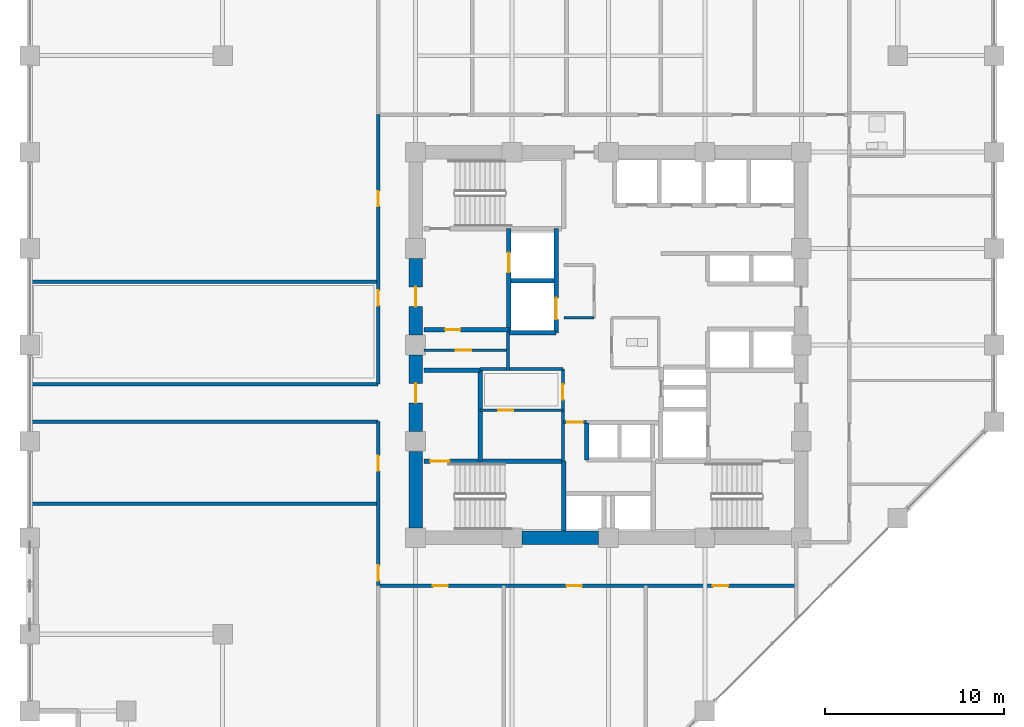
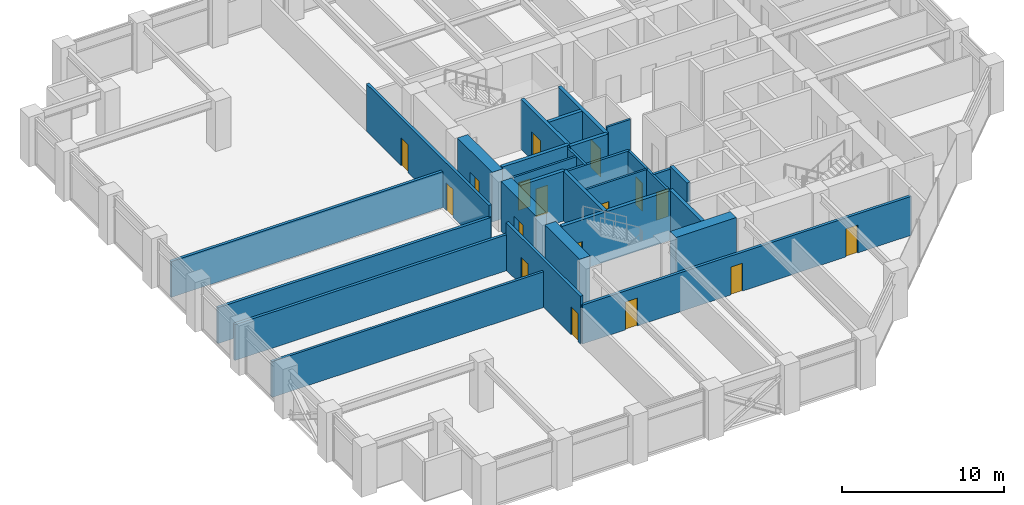
# One storey, part 19 of 25: 28 walls, 17 doors, 17 openings.
"""IFC4 building model written with IfcOpenShell, lengths in metres."""

from ifc_helpers import new_model, si_unit, direction, frame, frame_2d, origin, place, context, subcontext, project, spatial, rectangle, extrude, material, layer, layer_set, type_object, element, fill, save


model = new_model("IFC4")

# Units and contexts
model_context = context("Model", 3, precision=1e-05, world=origin(), true_north=direction((0.0, 1.0)))
body_context = subcontext(model_context, "Body", "Model", "MODEL_VIEW")
ifc_project = project(units=[si_unit("LENGTHUNIT", "METRE"), si_unit("AREAUNIT", "SQUARE_METRE"), si_unit("VOLUMEUNIT", "CUBIC_METRE"), si_unit("PLANEANGLEUNIT", "RADIAN"), si_unit("MASSUNIT", "GRAM", prefix="KILO")], contexts=[model_context])

# Site, building, storey
site_placement = place(None, origin())
site = spatial("IfcSite", under=ifc_project, at=site_placement, CompositionType="ELEMENT")
building_placement = place(site_placement, origin())
building = spatial("IfcBuilding", under=site, at=building_placement, Name="Surkhivell Harbour Commons", CompositionType="ELEMENT")
storey_placement = place(building_placement, frame((0.0, 0.0, 117.0)))
storey = spatial("IfcBuildingStorey", under=building, at=storey_placement, Name="L30", CompositionType="ELEMENT", Elevation=117.0)

# Walls
ifc_material_1 = material(Name="Concrete C60/75", Category="concrete")
ifc_layer_1 = layer(ifc_material_1, 0.75)
ifc_layer_set_1 = layer_set([ifc_layer_1], Name="Concrete C60/75")
wall_type_1 = type_object("IfcWallType", Name="WAL-CORE-750", PredefinedType="SHEAR", material=ifc_layer_set_1)
for number, where, z_axis, x_axis, name in (
    (1, (-10.800048828125, -10.239990234375, 0.0), (0.0, 0.0, 1.0), (0.0, 1.0, 0.0), "L30 Core Shear Wall West 1"),
    (2, (-4.840087890625, -10.800048828125, 0.0), (0.0, 0.0, 1.0), (1.0, 0.0, 0.0), "L30 Core Shear Wall South 2"),
):
    element("IfcWall", number, at=place(storey_placement, frame(where, z_axis=z_axis, x_axis=x_axis)), inside=storey, type_object=wall_type_1, Name=name, PredefinedType="SHEAR", context=body_context, shape_type="SweptSolid", body=[
        extrude(rectangle(XDim=4.280029296875, YDim=0.75, at=frame_2d((2.14013671875, 0.0))), origin(), (0.0, 0.0, 1.0), 3.75),
    ])

# Wall, opening, door
wall_1_placement = place(storey_placement, frame((-10.800048828125, -4.840087890625, 0.0), z_axis=(0.0, 0.0, 1.0), x_axis=(0.0, 1.0, 0.0)))
wall_1 = element("IfcWall", 3, at=wall_1_placement, inside=storey, type_object=wall_type_1, Name="L30 Core Shear Wall West 2", PredefinedType="SHEAR", context=body_context, shape_type="SweptSolid", body=[
    extrude(rectangle(XDim=4.280029296875, YDim=0.75, at=frame_2d((2.14013671875, 0.0))), origin(), (0.0, 0.0, 1.0), 3.75),
])
opening_1_placement = place(wall_1_placement, frame((1.590087890625, 0.0, 0.0)))
opening_1 = element("IfcOpeningElement", 4, at=opening_1_placement, cuts=wall_1, Name="Opening ID-2", PredefinedType="OPENING", context=body_context, shape_type="SweptSolid", body=[
    extrude(rectangle(XDim=1.10009765625, YDim=2.10009765625, at=frame_2d((0.550048828125, 1.050048828125))), frame((0.0, 0.385009765625, 0.0), z_axis=(0.0, -1.0, 0.0), x_axis=(1.0, 0.0, 0.0)), (0.0, 0.0, 1.0), 0.77001953125),
])
ifc_material_2 = material(Name="Hardwood-veneered fire-rated door leaf", Category="wood")
door_type_1 = type_object("IfcDoorType", Name="DOR-FD60-1100", OperationType="NOTDEFINED", PredefinedType="DOOR", material=ifc_material_2)
door_1_placement = place(opening_1_placement, origin())
door_1 = element("IfcDoor", 5, at=door_1_placement, inside=storey, type_object=door_type_1, Name="L30 Stair 3 Lobby Corridor Door", OperationType="SINGLE_SWING_LEFT", OverallHeight=2.10009765625, OverallWidth=1.10009765625, PredefinedType="DOOR", context=body_context, shape_type="SweptSolid", body=[
    extrude(rectangle(XDim=1.10009765625, YDim=2.10009765625, at=frame_2d((0.550048828125, 1.050048828125))), frame((0.0, 0.02490234375, 0.0), z_axis=(0.0, -1.0, 0.0), x_axis=(1.0, 0.0, 0.0)), (0.0, 0.0, 1.0), 0.050048828125),
])
fill(opening_1, door_1)

wall_2_placement = place(storey_placement, frame((-10.800048828125, 0.56005859375, 0.0), z_axis=(0.0, 0.0, 1.0), x_axis=(0.0, 1.0, 0.0)))
wall_2 = element("IfcWall", 6, at=wall_2_placement, inside=storey, type_object=wall_type_1, Name="L30 Core Shear Wall West 3", PredefinedType="SHEAR", context=body_context, shape_type="SweptSolid", body=[
    extrude(rectangle(XDim=4.280029296875, YDim=0.75, at=frame_2d((2.14013671875, 0.0))), origin(), (0.0, 0.0, 1.0), 3.75),
])
opening_2_placement = place(wall_2_placement, frame((1.590087890625, 0.0, 0.0)))
opening_2 = element("IfcOpeningElement", 7, at=opening_2_placement, cuts=wall_2, Name="Opening ID-1", PredefinedType="OPENING", context=body_context, shape_type="SweptSolid", body=[
    extrude(rectangle(XDim=1.10009765625, YDim=2.10009765625, at=frame_2d((0.550048828125, 1.050048828125))), frame((0.0, 0.385009765625, 0.0), z_axis=(0.0, -1.0, 0.0), x_axis=(1.0, 0.0, 0.0)), (0.0, 0.0, 1.0), 0.77001953125),
])
door_type_2 = type_object("IfcDoorType", Name="DOR-FD120-1100", OperationType="NOTDEFINED", PredefinedType="DOOR", material=ifc_material_2)
door_2_placement = place(opening_2_placement, origin())
door_2 = element("IfcDoor", 8, at=door_2_placement, inside=storey, type_object=door_type_2, Name="L30 Firefighting Lobby 1 Corridor Door", OperationType="SINGLE_SWING_LEFT", OverallHeight=2.10009765625, OverallWidth=1.10009765625, PredefinedType="DOOR", context=body_context, shape_type="SweptSolid", body=[
    extrude(rectangle(XDim=1.10009765625, YDim=2.10009765625, at=frame_2d((0.550048828125, 1.050048828125))), frame((0.0, 0.02490234375, 0.0), z_axis=(0.0, -1.0, 0.0), x_axis=(1.0, 0.0, 0.0)), (0.0, 0.0, 1.0), 0.050048828125),
])
fill(opening_2, door_2)

ifc_material_3 = material(Name="Twin-stud acoustic fireboard partition", Category="other")
ifc_layer_2 = layer(ifc_material_3, 0.14990234375)
ifc_layer_set_2 = layer_set([ifc_layer_2], Name="Twin-stud acoustic fireboard partition")
wall_type_2 = type_object("IfcWallType", Name="WAL-INT-150", PredefinedType="PARTITIONING", material=ifc_layer_set_2)
wall_3_placement = place(storey_placement, frame((-7.179931640625, -3.64990234375, 0.0), z_axis=(0.0, 0.0, 1.0), x_axis=(1.0, 0.0, 0.0)))
wall_3 = element("IfcWall", 9, at=wall_3_placement, inside=storey, type_object=wall_type_2, Name="L30 Core Cut C1 Partition", PredefinedType="PARTITIONING", context=body_context, shape_type="SweptSolid", body=[
    extrude(rectangle(XDim=4.6298828125, YDim=0.14990234375, at=frame_2d((2.31494140625, 0.0))), origin(), (0.0, 0.0, 1.0), 3.570068359375),
])
opening_3_placement = place(wall_3_placement, frame((1.0, 0.0, 0.0)))
opening_3 = element("IfcOpeningElement", 10, at=opening_3_placement, cuts=wall_3, Name="Opening ID-6", PredefinedType="OPENING", context=body_context, shape_type="SweptSolid", body=[
    extrude(rectangle(XDim=0.85009765625, YDim=2.10009765625, at=frame_2d((0.425048828125, 1.050048828125))), frame((0.0, 0.0849609375, 0.0), z_axis=(0.0, -1.0, 0.0), x_axis=(1.0, 0.0, 0.0)), (0.0, 0.0, 1.0), 0.169921875),
])
door_type_3 = type_object("IfcDoorType", Name="DOR-FD30-850", OperationType="NOTDEFINED", PredefinedType="DOOR", material=ifc_material_2)
door_3_placement = place(opening_3_placement, origin())
door_3 = element("IfcDoor", 11, at=door_3_placement, inside=storey, type_object=door_type_3, Name="L30 Cleaner Room Door", OperationType="SINGLE_SWING_LEFT", OverallHeight=2.10009765625, OverallWidth=0.85009765625, PredefinedType="DOOR", context=body_context, shape_type="SweptSolid", body=[
    extrude(rectangle(XDim=0.85009765625, YDim=2.10009765625, at=frame_2d((0.425048828125, 1.050048828125))), frame((0.0, 0.02490234375, 0.0), z_axis=(0.0, -1.0, 0.0), x_axis=(1.0, 0.0, 0.0)), (0.0, 0.0, 1.0), 0.050048828125),
])
fill(opening_3, door_3)

wall_4_placement = place(storey_placement, frame((-10.340087890625, -0.2900390625, 0.0), z_axis=(0.0, 0.0, 1.0), x_axis=(1.0, 0.0, 0.0)))
wall_4 = element("IfcWall", 12, at=wall_4_placement, inside=storey, type_object=wall_type_2, Name="L30 West Core Horizontal Cut", PredefinedType="PARTITIONING", context=body_context, shape_type="SweptSolid", body=[
    extrude(rectangle(XDim=4.719970703125, YDim=0.14990234375, at=frame_2d((2.35986328125, 0.0))), origin(), (0.0, 0.0, 1.0), 3.570068359375),
])
opening_4_placement = place(wall_4_placement, frame((1.800048828125, 0.0, 0.0)))
opening_4 = element("IfcOpeningElement", 13, at=opening_4_placement, cuts=wall_4, Name="Opening ID-6", PredefinedType="OPENING", context=body_context, shape_type="SweptSolid", body=[
    extrude(rectangle(XDim=0.85009765625, YDim=2.10009765625, at=frame_2d((0.425048828125, 1.050048828125))), frame((0.0, 0.0849609375, 0.0), z_axis=(0.0, -1.0, 0.0), x_axis=(1.0, 0.0, 0.0)), (0.0, 0.0, 1.0), 0.169921875),
])
door_4_placement = place(opening_4_placement, origin())
door_4 = element("IfcDoor", 14, at=door_4_placement, inside=storey, type_object=door_type_3, Name="L30 West Music Pod Door", OperationType="SINGLE_SWING_RIGHT", OverallHeight=2.10009765625, OverallWidth=0.85009765625, PredefinedType="DOOR", context=body_context, shape_type="SweptSolid", body=[
    extrude(rectangle(XDim=0.85009765625, YDim=2.10009765625, at=frame_2d((0.425048828125, 1.050048828125))), frame((0.0, 0.02490234375, 0.0), z_axis=(0.0, -1.0, 0.0), x_axis=(1.0, 0.0, 0.0)), (0.0, 0.0, 1.0), 0.050048828125),
])
fill(opening_4, door_4)

# Wall
wall_5_placement = place(storey_placement, frame((-2.47998046875, 1.52001953125, 0.0), z_axis=(0.0, 0.0, 1.0), x_axis=(1.0, 0.0, 0.0)))
element("IfcWall", 15, at=wall_5_placement, inside=storey, type_object=wall_type_2, Name="L30 Core Seminar South Wall", PredefinedType="PARTITIONING", context=body_context, shape_type="SweptSolid", body=[
    extrude(rectangle(XDim=1.679931640625, YDim=0.14990234375, at=frame_2d((0.83984375, 0.0))), origin(), (0.0, 0.0, 1.0), 3.570068359375),
])

# Wall, opening, door
ifc_material_4 = material(Name="High-density acoustic blockwork fire partition", Category="masonry")
ifc_layer_3 = layer(ifc_material_4, 0.175048828125)
ifc_layer_set_3 = layer_set([ifc_layer_3], Name="High-density acoustic blockwork fire partition")
wall_type_3 = type_object("IfcWallType", Name="WAL-INT-175", PredefinedType="PARTITIONING", material=ifc_layer_set_3)
wall_6_placement = place(storey_placement, frame((-2.550048828125, -6.510009765625, 0.0), z_axis=(0.0, 0.0, 1.0), x_axis=(0.0, 1.0, 0.0)))
wall_6 = element("IfcWall", 16, at=wall_6_placement, inside=storey, type_object=wall_type_3, Name="L30 Core Service Bay East Wall", PredefinedType="PARTITIONING", context=body_context, shape_type="SweptSolid", body=[
    extrude(rectangle(XDim=5.159912109375, YDim=0.175048828125, at=frame_2d((2.580078125, 0.0))), origin(), (0.0, 0.0, 1.0), 3.570068359375),
])
opening_5_placement = place(wall_6_placement, frame((3.449951171875, 0.0, 0.0)))
opening_5 = element("IfcOpeningElement", 17, at=opening_5_placement, cuts=wall_6, Name="Opening ID-6", PredefinedType="OPENING", context=body_context, shape_type="SweptSolid", body=[
    extrude(rectangle(XDim=0.85009765625, YDim=2.10009765625, at=frame_2d((0.425048828125, 1.050048828125))), frame((0.0, 0.097412109375, 0.0), z_axis=(0.0, -1.0, 0.0), x_axis=(1.0, 0.0, 0.0)), (0.0, 0.0, 1.0), 0.195068359375),
])
door_5_placement = place(opening_5_placement, origin())
door_5 = element("IfcDoor", 18, at=door_5_placement, inside=storey, type_object=door_type_3, Name="L30 Core Seminar Door", OperationType="SINGLE_SWING_LEFT", OverallHeight=2.10009765625, OverallWidth=0.85009765625, PredefinedType="DOOR", context=body_context, shape_type="SweptSolid", body=[
    extrude(rectangle(XDim=0.85009765625, YDim=2.10009765625, at=frame_2d((0.425048828125, 1.050048828125))), frame((0.0, 0.02490234375, 0.0), z_axis=(0.0, -1.0, 0.0), x_axis=(1.0, 0.0, 0.0)), (0.0, 0.0, 1.0), 0.050048828125),
])
fill(opening_5, door_5)

# Walls
wall_7_placement = place(storey_placement, frame((-7.179931640625, -1.35009765625, 0.0), z_axis=(0.0, 0.0, 1.0), x_axis=(1.0, 0.0, 0.0)))
element("IfcWall", 19, at=wall_7_placement, inside=storey, type_object=wall_type_3, Name="L30 Core Service Bay North Wall", PredefinedType="PARTITIONING", context=body_context, shape_type="SweptSolid", body=[
    extrude(rectangle(XDim=4.6298828125, YDim=0.175048828125, at=frame_2d((2.31494140625, 0.0))), origin(), (0.0, 0.0, 1.0), 3.570068359375),
])
wall_8_placement = place(storey_placement, frame((-5.6201171875, -1.419921875, 0.0), z_axis=(0.0, 0.0, 1.0), x_axis=(0.0, 1.0, 0.0)))
element("IfcWall", 20, at=wall_8_placement, inside=storey, type_object=wall_type_3, Name="L30 West Core Bay East Wall", PredefinedType="PARTITIONING", context=body_context, shape_type="SweptSolid", body=[
    extrude(rectangle(XDim=2.139892578125, YDim=0.175048828125, at=frame_2d((1.06982421875, 0.0))), origin(), (0.0, 0.0, 1.0), 3.570068359375),
])

# Wall, opening, door
wall_9_placement = place(storey_placement, frame((-2.52001953125, -4.320068359375, 0.0), z_axis=(0.0, 0.0, 1.0), x_axis=(1.0, 0.0, 0.0)))
wall_9 = element("IfcWall", 21, at=wall_9_placement, inside=storey, type_object=wall_type_3, Name="L30 High-Rise Lobby North Portal Wall", PredefinedType="PARTITIONING", context=body_context, shape_type="SweptSolid", body=[
    extrude(rectangle(XDim=1.300048828125, YDim=0.175048828125, at=frame_2d((0.64990234375, 0.0))), origin(), (0.0, 0.0, 1.0), 3.570068359375),
])
opening_6_placement = place(wall_9_placement, frame((0.219970703125, 0.0, 0.0)))
opening_6 = element("IfcOpeningElement", 22, at=opening_6_placement, cuts=wall_9, Name="Opening ID-6", PredefinedType="OPENING", context=body_context, shape_type="SweptSolid", body=[
    extrude(rectangle(XDim=0.85009765625, YDim=2.10009765625, at=frame_2d((0.425048828125, 1.050048828125))), frame((0.0, 0.097412109375, 0.0), z_axis=(0.0, -1.0, 0.0), x_axis=(1.0, 0.0, 0.0)), (0.0, 0.0, 1.0), 0.195068359375),
])
door_6_placement = place(opening_6_placement, origin())
door_6 = element("IfcDoor", 23, at=door_6_placement, inside=storey, type_object=door_type_3, Name="L30 High-Rise Lift Lobby North Door", OperationType="SINGLE_SWING_LEFT", OverallHeight=2.10009765625, OverallWidth=0.85009765625, PredefinedType="DOOR", context=body_context, shape_type="SweptSolid", body=[
    extrude(rectangle(XDim=0.85009765625, YDim=2.10009765625, at=frame_2d((0.425048828125, 1.050048828125))), frame((0.0, 0.02490234375, 0.0), z_axis=(0.0, -1.0, 0.0), x_axis=(1.0, 0.0, 0.0)), (0.0, 0.0, 1.0), 0.050048828125),
])
fill(opening_6, door_6)

# Wall
wall_10_placement = place(storey_placement, frame((-32.340087890625, -8.889892578125, 0.0), z_axis=(0.0, 0.0, 1.0), x_axis=(1.0, 0.0, 0.0)))
element("IfcWall", 24, at=wall_10_placement, inside=storey, type_object=wall_type_3, Name="L30 South-West Partition P1", PredefinedType="PARTITIONING", context=body_context, shape_type="SweptSolid", body=[
    extrude(rectangle(XDim=19.440185546875, YDim=0.175048828125, at=frame_2d((9.72021484375, 0.0))), origin(), (0.0, 0.0, 1.0), 2.698974609375),
])

# Wall, openings, doors
ifc_material_5 = material(Name="Autoclaved aerated concrete blockwork and fire plaster", Category="masonry")
ifc_layer_4 = layer(ifc_material_5, 0.199951171875)
ifc_layer_set_4 = layer_set([ifc_layer_4], Name="Autoclaved aerated concrete blockwork and fire plaster")
wall_type_4 = type_object("IfcWallType", Name="WAL-INT-200", PredefinedType="PARTITIONING", material=ifc_layer_set_4)
wall_11_placement = place(storey_placement, frame((-12.89990234375, -13.47998046875, 0.0), z_axis=(0.0, 0.0, 1.0), x_axis=(1.0, 0.0, 0.0)))
wall_11 = element("IfcWall", 25, at=wall_11_placement, inside=storey, type_object=wall_type_4, Name="L30 Corridor South Wall", PredefinedType="PARTITIONING", context=body_context, shape_type="SweptSolid", body=[
    extrude(rectangle(XDim=23.419921875, YDim=0.199951171875, at=frame_2d((11.7099609375, 0.0))), origin(), (0.0, 0.0, 1.0), 2.93310546875),
])
opening_7_placement = place(wall_11_placement, frame((3.06494140625, 0.0, 0.0)))
opening_7 = element("IfcOpeningElement", 26, at=opening_7_placement, cuts=wall_11, Name="Opening ID-6", PredefinedType="OPENING", context=body_context, shape_type="SweptSolid", body=[
    extrude(rectangle(XDim=0.85009765625, YDim=2.10009765625, at=frame_2d((0.425048828125, 1.050048828125))), frame((0.0, 0.10986328125, 0.0), z_axis=(0.0, -1.0, 0.0), x_axis=(1.0, 0.0, 0.0)), (0.0, 0.0, 1.0), 0.219970703125),
])
opening_8_placement = place(wall_11_placement, frame((10.56005859375, 0.0, 0.0)))
opening_8 = element("IfcOpeningElement", 27, at=opening_8_placement, cuts=wall_11, Name="Opening ID-6", PredefinedType="OPENING", context=body_context, shape_type="SweptSolid", body=[
    extrude(rectangle(XDim=0.85009765625, YDim=2.10009765625, at=frame_2d((0.425048828125, 1.050048828125))), frame((0.0, 0.10986328125, 0.0), z_axis=(0.0, -1.0, 0.0), x_axis=(1.0, 0.0, 0.0)), (0.0, 0.0, 1.0), 0.219970703125),
])
opening_9_placement = place(wall_11_placement, frame((18.7548828125, 0.0, 0.0)))
opening_9 = element("IfcOpeningElement", 28, at=opening_9_placement, cuts=wall_11, Name="Opening ID-6", PredefinedType="OPENING", context=body_context, shape_type="SweptSolid", body=[
    extrude(rectangle(XDim=0.85009765625, YDim=2.10009765625, at=frame_2d((0.425048828125, 1.050048828125))), frame((0.0, 0.10986328125, 0.0), z_axis=(0.0, -1.0, 0.0), x_axis=(1.0, 0.0, 0.0)), (0.0, 0.0, 1.0), 0.219970703125),
])
door_7_placement = place(opening_7_placement, origin())
door_7 = element("IfcDoor", 29, at=door_7_placement, inside=storey, type_object=door_type_3, Name="L30 Resident Tutor Staff Room 1 South Door", OperationType="SINGLE_SWING_LEFT", OverallHeight=2.10009765625, OverallWidth=0.85009765625, PredefinedType="DOOR", context=body_context, shape_type="SweptSolid", body=[
    extrude(rectangle(XDim=0.85009765625, YDim=2.10009765625, at=frame_2d((0.425048828125, 1.050048828125))), frame((0.0, 0.02490234375, 0.0), z_axis=(0.0, -1.0, 0.0), x_axis=(1.0, 0.0, 0.0)), (0.0, 0.0, 1.0), 0.050048828125),
])
fill(opening_7, door_7)
door_8_placement = place(opening_8_placement, origin())
door_8 = element("IfcDoor", 30, at=door_8_placement, inside=storey, type_object=door_type_3, Name="L30 Resident Warden Staff Office 2 South Door", OperationType="SINGLE_SWING_RIGHT", OverallHeight=2.10009765625, OverallWidth=0.85009765625, PredefinedType="DOOR", context=body_context, shape_type="SweptSolid", body=[
    extrude(rectangle(XDim=0.85009765625, YDim=2.10009765625, at=frame_2d((0.425048828125, 1.050048828125))), frame((0.0, 0.02490234375, 0.0), z_axis=(0.0, -1.0, 0.0), x_axis=(1.0, 0.0, 0.0)), (0.0, 0.0, 1.0), 0.050048828125),
])
fill(opening_8, door_8)
door_9_placement = place(opening_9_placement, origin())
door_9 = element("IfcDoor", 31, at=door_9_placement, inside=storey, type_object=door_type_3, Name="L30 Campus Bursar Staff Office 3 South Door", OperationType="SINGLE_SWING_LEFT", OverallHeight=2.10009765625, OverallWidth=0.85009765625, PredefinedType="DOOR", context=body_context, shape_type="SweptSolid", body=[
    extrude(rectangle(XDim=0.85009765625, YDim=2.10009765625, at=frame_2d((0.425048828125, 1.050048828125))), frame((0.0, 0.02490234375, 0.0), z_axis=(0.0, -1.0, 0.0), x_axis=(1.0, 0.0, 0.0)), (0.0, 0.0, 1.0), 0.050048828125),
])
fill(opening_9, door_9)

# Walls
for number, where, z_axis, x_axis, name in (
    (32, (-32.340087890625, -2.199951171875, 0.0), (0.0, 0.0, 1.0), (1.0, 0.0, 0.0), "L30 West Alcove North Wall"),
    (33, (-32.340087890625, -4.300048828125, 0.0), (0.0, 0.0, 1.0), (1.0, 0.0, 0.0), "L30 West Alcove South Wall"),
):
    element("IfcWall", number, at=place(storey_placement, frame(where, z_axis=z_axis, x_axis=x_axis)), inside=storey, type_object=wall_type_4, Name=name, PredefinedType="PARTITIONING", context=body_context, shape_type="SweptSolid", body=[
        extrude(rectangle(XDim=19.440185546875, YDim=0.199951171875, at=frame_2d((9.72021484375, 0.0))), origin(), (0.0, 0.0, 1.0), 2.698974609375),
    ])

# Wall, openings, doors
wall_12_placement = place(storey_placement, frame((-12.89990234375, -2.199951171875, 0.0), z_axis=(0.0, 0.0, 1.0), x_axis=(0.0, 1.0, 0.0)))
wall_12 = element("IfcWall", 34, at=wall_12_placement, inside=storey, type_object=wall_type_4, Name="L30 Corridor West-Upper Wall", PredefinedType="PARTITIONING", context=body_context, shape_type="SweptSolid", body=[
    extrude(rectangle(XDim=15.099853515625, YDim=0.199951171875, at=frame_2d((7.5498046875, 0.0))), origin(), (0.0, 0.0, 1.0), 3.570068359375),
])
opening_10_placement = place(wall_12_placement, frame((4.40380859375, 0.0, 0.0)))
opening_10 = element("IfcOpeningElement", 35, at=opening_10_placement, cuts=wall_12, Name="Opening ID-6", PredefinedType="OPENING", context=body_context, shape_type="SweptSolid", body=[
    extrude(rectangle(XDim=0.85009765625, YDim=2.10009765625, at=frame_2d((0.425048828125, 1.050048828125))), frame((0.0, 0.10986328125, 0.0), z_axis=(0.0, -1.0, 0.0), x_axis=(1.0, 0.0, 0.0)), (0.0, 0.0, 1.0), 0.219970703125),
])
opening_11_placement = place(wall_12_placement, frame((9.969970703125, 0.0, 0.0)))
opening_11 = element("IfcOpeningElement", 36, at=opening_11_placement, cuts=wall_12, Name="Opening ID-6", PredefinedType="OPENING", context=body_context, shape_type="SweptSolid", body=[
    extrude(rectangle(XDim=0.85009765625, YDim=2.10009765625, at=frame_2d((0.425048828125, 1.050048828125))), frame((0.0, 0.10986328125, 0.0), z_axis=(0.0, -1.0, 0.0), x_axis=(1.0, 0.0, 0.0)), (0.0, 0.0, 1.0), 0.219970703125),
])
door_10_placement = place(opening_10_placement, origin())
door_10 = element("IfcDoor", 37, at=door_10_placement, inside=storey, type_object=door_type_3, Name="L30 Harbour Reading Library North-West Door", OperationType="SINGLE_SWING_RIGHT", OverallHeight=2.10009765625, OverallWidth=0.85009765625, PredefinedType="DOOR", context=body_context, shape_type="SweptSolid", body=[
    extrude(rectangle(XDim=0.85009765625, YDim=2.10009765625, at=frame_2d((0.425048828125, 1.050048828125))), frame((0.0, 0.02490234375, 0.0), z_axis=(0.0, -1.0, 0.0), x_axis=(1.0, 0.0, 0.0)), (0.0, 0.0, 1.0), 0.050048828125),
])
fill(opening_10, door_10)
door_11_placement = place(opening_11_placement, origin())
door_11 = element("IfcDoor", 38, at=door_11_placement, inside=storey, type_object=door_type_3, Name="L30 Communal Dining Hall North-West Door", OperationType="SINGLE_SWING_LEFT", OverallHeight=2.10009765625, OverallWidth=0.85009765625, PredefinedType="DOOR", context=body_context, shape_type="SweptSolid", body=[
    extrude(rectangle(XDim=0.85009765625, YDim=2.10009765625, at=frame_2d((0.425048828125, 1.050048828125))), frame((0.0, 0.02490234375, 0.0), z_axis=(0.0, -1.0, 0.0), x_axis=(1.0, 0.0, 0.0)), (0.0, 0.0, 1.0), 0.050048828125),
])
fill(opening_11, door_11)

wall_13_placement = place(storey_placement, frame((-12.89990234375, -13.47998046875, 0.0), z_axis=(0.0, 0.0, 1.0), x_axis=(0.0, 1.0, 0.0)))
wall_13 = element("IfcWall", 39, at=wall_13_placement, inside=storey, type_object=wall_type_4, Name="L30 Corridor West-Lower Wall", PredefinedType="PARTITIONING", context=body_context, shape_type="SweptSolid", body=[
    extrude(rectangle(XDim=9.179931640625, YDim=0.199951171875, at=frame_2d((4.58984375, 0.0))), origin(), (0.0, 0.0, 1.0), 3.570068359375),
])
opening_12_placement = place(wall_13_placement, frame((0.280029296875, 0.0, 0.0)))
opening_12 = element("IfcOpeningElement", 40, at=opening_12_placement, cuts=wall_13, Name="Opening ID-6", PredefinedType="OPENING", context=body_context, shape_type="SweptSolid", body=[
    extrude(rectangle(XDim=0.85009765625, YDim=2.10009765625, at=frame_2d((0.425048828125, 1.050048828125))), frame((0.0, 0.10986328125, 0.0), z_axis=(0.0, -1.0, 0.0), x_axis=(1.0, 0.0, 0.0)), (0.0, 0.0, 1.0), 0.219970703125),
])
opening_13_placement = place(wall_13_placement, frame((6.43505859375, 0.0, 0.0)))
opening_13 = element("IfcOpeningElement", 41, at=opening_13_placement, cuts=wall_13, Name="Opening ID-6", PredefinedType="OPENING", context=body_context, shape_type="SweptSolid", body=[
    extrude(rectangle(XDim=0.85009765625, YDim=2.10009765625, at=frame_2d((0.425048828125, 1.050048828125))), frame((0.0, 0.10986328125, 0.0), z_axis=(0.0, -1.0, 0.0), x_axis=(1.0, 0.0, 0.0)), (0.0, 0.0, 1.0), 0.219970703125),
])
door_12_placement = place(opening_12_placement, origin())
door_12 = element("IfcDoor", 42, at=door_12_placement, inside=storey, type_object=door_type_3, Name="L30 Campus Co-Op Bookshop South-West Door", OperationType="SINGLE_SWING_RIGHT", OverallHeight=2.10009765625, OverallWidth=0.85009765625, PredefinedType="DOOR", context=body_context, shape_type="SweptSolid", body=[
    extrude(rectangle(XDim=0.85009765625, YDim=2.10009765625, at=frame_2d((0.425048828125, 1.050048828125))), frame((0.0, 0.02490234375, 0.0), z_axis=(0.0, -1.0, 0.0), x_axis=(1.0, 0.0, 0.0)), (0.0, 0.0, 1.0), 0.050048828125),
])
fill(opening_12, door_12)
door_13_placement = place(opening_13_placement, origin())
door_13 = element("IfcDoor", 43, at=door_13_placement, inside=storey, type_object=door_type_3, Name="L30 Harbour Espresso Cafe Shop South-West Door", OperationType="SINGLE_SWING_LEFT", OverallHeight=2.10009765625, OverallWidth=0.85009765625, PredefinedType="DOOR", context=body_context, shape_type="SweptSolid", body=[
    extrude(rectangle(XDim=0.85009765625, YDim=2.10009765625, at=frame_2d((0.425048828125, 1.050048828125))), frame((0.0, 0.02490234375, 0.0), z_axis=(0.0, -1.0, 0.0), x_axis=(1.0, 0.0, 0.0)), (0.0, 0.0, 1.0), 0.050048828125),
])
fill(opening_13, door_13)

# Wall
wall_14_placement = place(storey_placement, frame((-32.340087890625, 3.5400390625, 0.0), z_axis=(0.0, 0.0, 1.0), x_axis=(1.0, 0.0, 0.0)))
element("IfcWall", 44, at=wall_14_placement, inside=storey, type_object=wall_type_4, Name="L30 North-West Partition P1", PredefinedType="PARTITIONING", context=body_context, shape_type="SweptSolid", body=[
    extrude(rectangle(XDim=19.440185546875, YDim=0.199951171875, at=frame_2d((9.72021484375, 0.0))), origin(), (0.0, 0.0, 1.0), 2.698974609375),
])

# Wall, opening, door
ifc_material_6 = material(Name="Concrete C50/60", Category="concrete")
ifc_layer_5 = layer(ifc_material_6, 0.25)
ifc_layer_set_5 = layer_set([ifc_layer_5], Name="Concrete C50/60")
wall_type_5 = type_object("IfcWallType", Name="WAL-SHAFT-250", PredefinedType="SHEAR", material=ifc_layer_set_5)
wall_15_placement = place(storey_placement, frame((-5.580078125, 0.719970703125, 0.0), z_axis=(0.0, 0.0, 1.0), x_axis=(0.0, 1.0, 0.0)))
wall_15 = element("IfcWall", 45, at=wall_15_placement, inside=storey, type_object=wall_type_5, Name="L30 Firefighting Lobby 1 East Shaft Wall", PredefinedType="SHEAR", context=body_context, shape_type="SweptSolid", body=[
    extrude(rectangle(XDim=5.7900390625, YDim=0.25, at=frame_2d((2.89501953125, 0.0))), origin(), (0.0, 0.0, 1.0), 3.75),
])
opening_14_placement = place(wall_15_placement, frame((3.35009765625, 0.0, 0.0)))
opening_14 = element("IfcOpeningElement", 46, at=opening_14_placement, cuts=wall_15, Name="Opening LD-1", PredefinedType="OPENING", context=body_context, shape_type="SweptSolid", body=[
    extrude(rectangle(XDim=1.10009765625, YDim=2.10009765625, at=frame_2d((0.550048828125, 1.050048828125))), frame((0.0, 0.135009765625, 0.0), z_axis=(0.0, -1.0, 0.0), x_axis=(1.0, 0.0, 0.0)), (0.0, 0.0, 1.0), 0.27001953125),
])
ifc_material_7 = material(Name="Brushed stainless steel S355", Category="steel")
door_type_4 = type_object("IfcDoorType", Name="DOR-LD-1100", OperationType="SLIDING_TO_LEFT", PredefinedType="DOOR", material=ifc_material_7)
door_14_placement = place(opening_14_placement, origin())
door_14 = element("IfcDoor", 47, at=door_14_placement, inside=storey, type_object=door_type_4, Name="L30 Lift Landing Door LD-FFL1", OperationType="SLIDING_TO_LEFT", OverallHeight=2.10009765625, OverallWidth=1.10009765625, PredefinedType="DOOR", context=body_context, shape_type="SweptSolid", body=[
    extrude(rectangle(XDim=1.10009765625, YDim=2.10009765625, at=frame_2d((0.550048828125, 1.050048828125))), frame((0.0, 0.02490234375, 0.0), z_axis=(0.0, -1.0, 0.0), x_axis=(1.0, 0.0, 0.0)), (0.0, 0.0, 1.0), 0.050048828125),
])
fill(opening_14, door_14)

wall_16_placement = place(storey_placement, frame((-10.340087890625, 0.85009765625, 0.0), z_axis=(0.0, 0.0, 1.0), x_axis=(1.0, 0.0, 0.0)))
wall_16 = element("IfcWall", 48, at=wall_16_placement, inside=storey, type_object=wall_type_5, Name="L30 Firefighting Lobby 1 South Wall", PredefinedType="SHEAR", context=body_context, shape_type="SweptSolid", body=[
    extrude(rectangle(XDim=4.760009765625, YDim=0.25, at=frame_2d((2.3798828125, 0.0))), origin(), (0.0, 0.0, 1.0), 3.75),
])
opening_15_placement = place(wall_16_placement, frame((1.199951171875, 0.0, 0.0)))
opening_15 = element("IfcOpeningElement", 49, at=opening_15_placement, cuts=wall_16, Name="Opening ID-6", PredefinedType="OPENING", context=body_context, shape_type="SweptSolid", body=[
    extrude(rectangle(XDim=0.85009765625, YDim=2.10009765625, at=frame_2d((0.425048828125, 1.050048828125))), frame((0.0, 0.135009765625, 0.0), z_axis=(0.0, -1.0, 0.0), x_axis=(1.0, 0.0, 0.0)), (0.0, 0.0, 1.0), 0.27001953125),
])
door_15_placement = place(opening_15_placement, origin())
door_15 = element("IfcDoor", 50, at=door_15_placement, inside=storey, type_object=door_type_3, Name="L30 West Reading Alcove Door", OperationType="SINGLE_SWING_LEFT", OverallHeight=2.10009765625, OverallWidth=0.85009765625, PredefinedType="DOOR", context=body_context, shape_type="SweptSolid", body=[
    extrude(rectangle(XDim=0.85009765625, YDim=2.10009765625, at=frame_2d((0.425048828125, 1.050048828125))), frame((0.0, 0.02490234375, 0.0), z_axis=(0.0, -1.0, 0.0), x_axis=(1.0, 0.0, 0.0)), (0.0, 0.0, 1.0), 0.050048828125),
])
fill(opening_15, door_15)

# Walls
wall_17_placement = place(storey_placement, frame((-1.219970703125, -6.43994140625, 0.0), z_axis=(0.0, 0.0, 1.0), x_axis=(0.0, 1.0, 0.0)))
element("IfcWall", 51, at=wall_17_placement, inside=storey, type_object=wall_type_5, Name="L30 High-Rise Passage East Shaft Wall", PredefinedType="SHEAR", context=body_context, shape_type="SweptSolid", body=[
    extrude(rectangle(XDim=2.079833984375, YDim=0.25, at=frame_2d((1.0400390625, 0.0))), origin(), (0.0, 0.0, 1.0), 3.75),
])
wall_18_placement = place(storey_placement, frame((-2.510009765625, -10.425048828125, 0.0), z_axis=(0.0, 0.0, 1.0), x_axis=(0.0, 1.0, 0.0)))
element("IfcWall", 52, at=wall_18_placement, inside=storey, type_object=wall_type_5, Name="L30 Stair ST3 East Shear Wall", PredefinedType="SHEAR", context=body_context, shape_type="SweptSolid", body=[
    extrude(rectangle(XDim=3.9150390625, YDim=0.25, at=frame_2d((1.95751953125, 0.0))), origin(), (0.0, 0.0, 1.0), 3.75),
])
wall_19_placement = place(storey_placement, frame((-7.179931640625, -6.510009765625, 0.0), z_axis=(0.0, 0.0, 1.0), x_axis=(0.0, 1.0, 0.0)))
element("IfcWall", 53, at=wall_19_placement, inside=storey, type_object=wall_type_5, Name="L30 Stair 3 Lobby East Wall", PredefinedType="SHEAR", context=body_context, shape_type="SweptSolid", body=[
    extrude(rectangle(XDim=5.090087890625, YDim=0.25, at=frame_2d((2.544921875, 0.0))), origin(), (0.0, 0.0, 1.0), 3.75),
])
wall_20_placement = place(storey_placement, frame((-10.340087890625, -1.419921875, 0.0), z_axis=(0.0, 0.0, 1.0), x_axis=(1.0, 0.0, 0.0)))
element("IfcWall", 54, at=wall_20_placement, inside=storey, type_object=wall_type_5, Name="L30 Stair 3 Lobby North Wall", PredefinedType="SHEAR", context=body_context, shape_type="SweptSolid", body=[
    extrude(rectangle(XDim=3.16015625, YDim=0.25, at=frame_2d((1.580078125, 0.0))), origin(), (0.0, 0.0, 1.0), 3.75),
])

# Wall, opening, door
wall_21_placement = place(storey_placement, frame((-10.340087890625, -6.510009765625, 0.0), z_axis=(0.0, 0.0, 1.0), x_axis=(1.0, 0.0, 0.0)))
wall_21 = element("IfcWall", 55, at=wall_21_placement, inside=storey, type_object=wall_type_5, Name="L30 Stair ST3 North Shear Wall", PredefinedType="SHEAR", context=body_context, shape_type="SweptSolid", body=[
    extrude(rectangle(XDim=7.7001953125, YDim=0.25, at=frame_2d((3.85009765625, 0.0))), origin(), (0.0, 0.0, 1.0), 3.75),
])
opening_16_placement = place(wall_21_placement, frame((0.35009765625, 0.0, 0.0)))
opening_16 = element("IfcOpeningElement", 56, at=opening_16_placement, cuts=wall_21, Name="Opening ID-2", PredefinedType="OPENING", context=body_context, shape_type="SweptSolid", body=[
    extrude(rectangle(XDim=1.10009765625, YDim=2.10009765625, at=frame_2d((0.550048828125, 1.050048828125))), frame((0.0, 0.135009765625, 0.0), z_axis=(0.0, -1.0, 0.0), x_axis=(1.0, 0.0, 0.0)), (0.0, 0.0, 1.0), 0.27001953125),
])
door_16_placement = place(opening_16_placement, origin())
door_16 = element("IfcDoor", 57, at=door_16_placement, inside=storey, type_object=door_type_1, Name="L30 Stair ST3 Exit Door", OperationType="SINGLE_SWING_RIGHT", OverallHeight=2.10009765625, OverallWidth=1.10009765625, PredefinedType="DOOR", context=body_context, shape_type="SweptSolid", body=[
    extrude(rectangle(XDim=1.10009765625, YDim=2.10009765625, at=frame_2d((0.550048828125, 1.050048828125))), frame((0.0, 0.02490234375, 0.0), z_axis=(0.0, -1.0, 0.0), x_axis=(1.0, 0.0, 0.0)), (0.0, 0.0, 1.0), 0.050048828125),
])
fill(opening_16, door_16)

wall_22_placement = place(storey_placement, frame((-2.929931640625, 0.679931640625, 0.0), z_axis=(0.0, 0.0, 1.0), x_axis=(0.0, 1.0, 0.0)))
wall_22 = element("IfcWall", 58, at=wall_22_placement, inside=storey, type_object=wall_type_5, Name="L30 Service and Fire Lift East Shaft Wall", PredefinedType="SHEAR", context=body_context, shape_type="SweptSolid", body=[
    extrude(rectangle(XDim=5.830078125, YDim=0.25, at=frame_2d((2.9150390625, 0.0))), origin(), (0.0, 0.0, 1.0), 3.75),
])
opening_17_placement = place(wall_22_placement, frame((0.75, 0.0, 0.0)))
opening_17 = element("IfcOpeningElement", 59, at=opening_17_placement, cuts=wall_22, Name="Opening LD-2", PredefinedType="OPENING", context=body_context, shape_type="SweptSolid", body=[
    extrude(rectangle(XDim=1.199951171875, YDim=2.10009765625, at=frame_2d((0.60009765625, 1.050048828125))), frame((0.0, 0.135009765625, 0.0), z_axis=(0.0, -1.0, 0.0), x_axis=(1.0, 0.0, 0.0)), (0.0, 0.0, 1.0), 0.27001953125),
])
door_type_5 = type_object("IfcDoorType", Name="DOR-LD-1200", OperationType="SLIDING_TO_LEFT", PredefinedType="DOOR", material=ifc_material_7)
door_17_placement = place(opening_17_placement, origin())
door_17 = element("IfcDoor", 60, at=door_17_placement, inside=storey, type_object=door_type_5, Name="L30 Lift Landing Door LD-SVL1", OperationType="SLIDING_TO_LEFT", OverallHeight=2.10009765625, OverallWidth=1.199951171875, PredefinedType="DOOR", context=body_context, shape_type="SweptSolid", body=[
    extrude(rectangle(XDim=1.199951171875, YDim=2.10009765625, at=frame_2d((0.60009765625, 1.050048828125))), frame((0.0, 0.02490234375, 0.0), z_axis=(0.0, -1.0, 0.0), x_axis=(1.0, 0.0, 0.0)), (0.0, 0.0, 1.0), 0.050048828125),
])
fill(opening_17, door_17)

# Walls
wall_23_placement = place(storey_placement, frame((-5.449951171875, 3.60009765625, 0.0), z_axis=(0.0, 0.0, 1.0), x_axis=(1.0, 0.0, 0.0)))
element("IfcWall", 61, at=wall_23_placement, inside=storey, type_object=wall_type_5, Name="L30 FFL1/SVL1 Shaft Divider", PredefinedType="SHEAR", context=body_context, shape_type="SweptSolid", body=[
    extrude(rectangle(XDim=2.389892578125, YDim=0.25, at=frame_2d((1.19482421875, 0.0))), origin(), (0.0, 0.0, 1.0), 3.75),
])
wall_24_placement = place(storey_placement, frame((-5.580078125, 0.679931640625, 0.0), z_axis=(0.0, 0.0, 1.0), x_axis=(1.0, 0.0, 0.0)))
element("IfcWall", 62, at=wall_24_placement, inside=storey, type_object=wall_type_5, Name="L30 SVL1 South Shaft Wall", PredefinedType="SHEAR", context=body_context, shape_type="SweptSolid", body=[
    extrude(rectangle(XDim=2.650146484375, YDim=0.25, at=frame_2d((1.3251953125, 0.0))), origin(), (0.0, 0.0, 1.0), 3.75),
])

save(model, "model.ifc")
